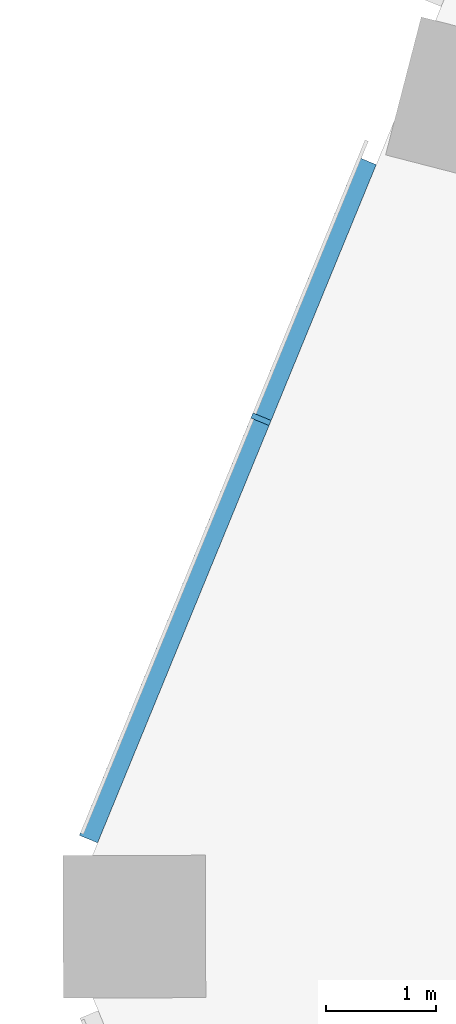
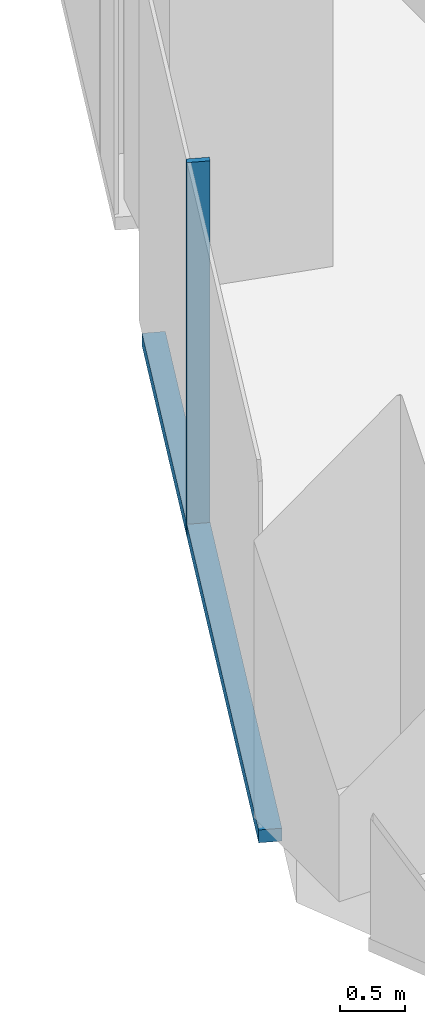
# One storey, part 8 of 35: 2 members, 1 element without a shape of its own.
"""IFC4 building model written with IfcOpenShell, lengths in metres."""

from ifc_helpers import new_model, si_unit, direction, frame, origin, origin_2d, place, context, subcontext, project, spatial, rectangle, extrude, material, material_profile, profile_set, type_object, element, aggregate, save


model = new_model("IFC4")

# Units and contexts
model_context = context("Model", 3, precision=1e-05, world=origin(), true_north=direction((0.0, 1.0)))
body_context = subcontext(model_context, "Body", "Model", "MODEL_VIEW")
ifc_project = project(units=[si_unit("LENGTHUNIT", "METRE"), si_unit("AREAUNIT", "SQUARE_METRE"), si_unit("VOLUMEUNIT", "CUBIC_METRE"), si_unit("PLANEANGLEUNIT", "RADIAN"), si_unit("MASSUNIT", "GRAM", prefix="KILO")], contexts=[model_context])

# Site, building, storey
site_placement = place(None, origin())
site = spatial("IfcSite", under=ifc_project, at=site_placement, CompositionType="ELEMENT")
building_placement = place(site_placement, origin())
building = spatial("IfcBuilding", under=site, at=building_placement, Name="Orlundy Tower", CompositionType="ELEMENT")
storey_placement = place(building_placement, frame((0.0, 0.0, 116.199951171875)))
storey = spatial("IfcBuildingStorey", under=building, at=storey_placement, Name="L29", CompositionType="ELEMENT", Elevation=116.199951171875)

# Curtain wall, members
ifc_material_1 = material(Name="Aluminium bronze anodised", Category="aluminium")
curtain_wall_type = type_object("IfcCurtainWallType", Name="CW1 wall", PredefinedType="NOTDEFINED", material=ifc_material_1)
curtain_wall_placement = place(storey_placement, origin())
curtain_wall = element("IfcCurtainWall", 1, at=curtain_wall_placement, inside=storey, type_object=curtain_wall_type, Name="CW1 run 014", PredefinedType="NOTDEFINED")
ifc_material_2 = material(Name="Aluminium bronze anodised", Category="aluminium")
ifc_material_profile_1 = material_profile(ifc_material_2, rectangle(XDim=0.179931640625, YDim=0.050048828125, at=origin_2d()), Name="CW1 mullion 50x180")
ifc_profile_set_1 = profile_set([ifc_material_profile_1], Name="Aluminium bronze anodised")
member_type_1 = type_object("IfcMemberType", Name="CW1 mullion 50x180", PredefinedType="MULLION", material=ifc_profile_set_1)
member_1_placement = place(storey_placement, frame((-30.66650390625, 4.537841796875, -0.39990234375), z_axis=(0.0, 0.0, 1.0), x_axis=(-0.924984462277, 0.380004927003, 0.0)))
member_1 = element("IfcMember", 2, at=member_1_placement, type_object=member_type_1, Name="CW1 mullion 35", PredefinedType="MULLION", context=body_context, shape_type="SweptSolid", body=[
    extrude(rectangle(XDim=0.179931640625, YDim=0.050048828125, at=origin_2d()), origin(), (0.0, 0.0, 1.0), 3.5),
])
ifc_material_3 = material(Name="Aluminium bronze anodised", Category="aluminium")
ifc_material_profile_2 = material_profile(ifc_material_3, rectangle(XDim=0.179931640625, YDim=0.1201171875, at=origin_2d()), Name="CW1 transom 180x120")
ifc_profile_set_2 = profile_set([ifc_material_profile_2], Name="Aluminium bronze anodised")
member_type_2 = type_object("IfcMemberType", Name="CW1 transom 180x120", PredefinedType="USERDEFINED", material=ifc_profile_set_2)
member_2_placement = place(storey_placement, frame((-32.24072265625, 0.705810546875, -0.33984375), z_axis=(0.380004698875, 0.924984555997, 0.0), x_axis=(-0.924984555997, 0.380004698875, 0.0)))
member_2 = element("IfcMember", 3, at=member_2_placement, type_object=member_type_2, Name="CW1 transom", ObjectType="TRANSOM", PredefinedType="USERDEFINED", context=body_context, shape_type="SweptSolid", body=[
    extrude(rectangle(XDim=0.179931640625, YDim=0.1201171875, at=origin_2d()), origin(), (0.0, 0.0, 1.0), 6.69189453125),
])
aggregate(curtain_wall, [member_1, member_2])

save(model, "model.ifc")
